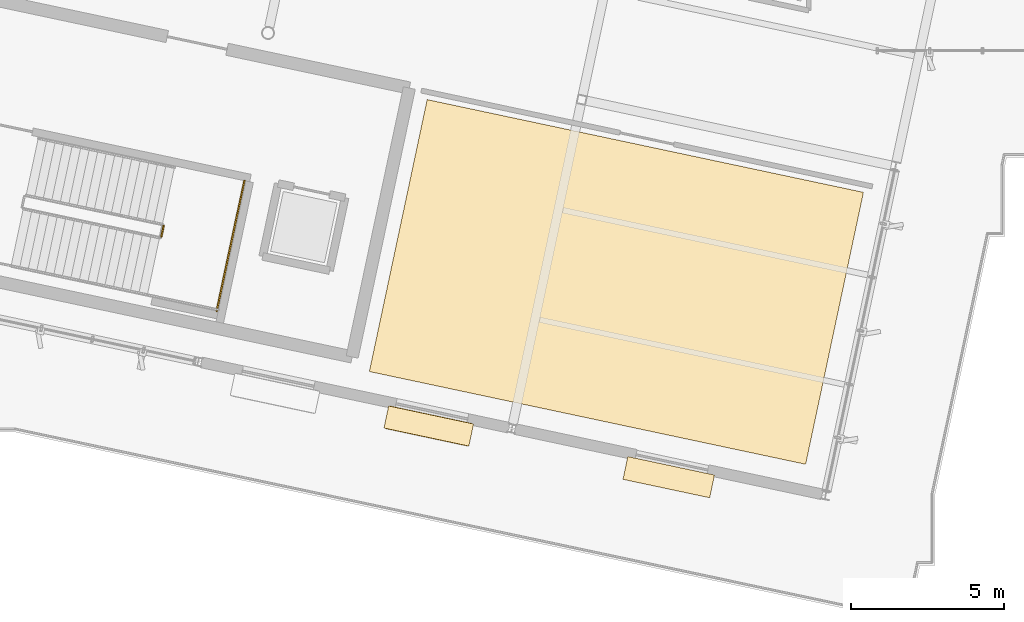
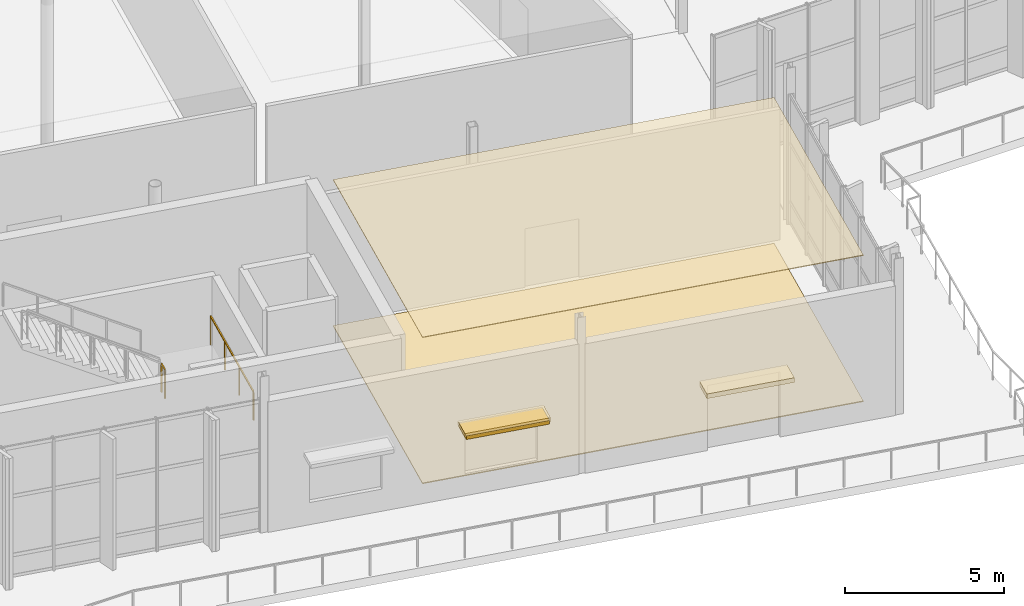
# One storey, part 143 of 163: 4 coverings, 2 railings, 1 shading device.
"""IFC4 building model written with IfcOpenShell, lengths in metres."""

import ifcopenshell
import ifcopenshell.guid

model = None  # the IFC model being written
_history = None  # IfcOwnerHistory: only IFC2X3 demands one
_inside = {}  # id of a spatial element -> (the spatial element, [elements in it])
_under = {}  # id of a project, library or spatial element -> (it, [spatial elements below it])
_declared = {}  # id of a project -> (the project, [libraries it declares])
_typed = {}  # id of a type object -> (the type object, [elements of that type])
_made_of = {}  # id of a material, layer set ... -> (it, [elements and type objects made of it])


def new_model(schema):
    """Start an empty IFC model of exactly this schema.

    Asked for "IFC4X3", IfcOpenShell would pick the latest addendum, in which some entities
    have other attributes; the version numbers below select the first issue.
    IFC2X3 requires an IfcOwnerHistory on every rooted entity: one is made here for all.
    """
    global model, _history
    if schema == "IFC4X3":
        model = ifcopenshell.file(schema_version=(4, 3, 0, 0))
    else:
        model = ifcopenshell.file(schema=schema)
    _inside.clear()
    _under.clear()
    _declared.clear()
    _typed.clear()
    _made_of.clear()
    _history = None
    if model.schema == "IFC2X3":
        org = make("IfcOrganization", Name="unknown")
        user = make(
            "IfcPersonAndOrganization",
            ThePerson=make("IfcPerson", FamilyName="unknown"),
            TheOrganization=org,
        )
        app = make(
            "IfcApplication",
            ApplicationDeveloper=org,
            Version="unknown",
            ApplicationFullName="unknown",
            ApplicationIdentifier="unknown",
        )
        _history = make(
            "IfcOwnerHistory",
            OwningUser=user,
            OwningApplication=app,
            ChangeAction="ADDED",
            CreationDate=0,
        )
    return model


def make(cls, **values):
    """One entity of the class cls with the attributes given. An attribute that is None is left unset."""
    return model.create_entity(
        cls, **{name: value for name, value in values.items() if value is not None}
    )


def rooted(cls, **values):
    """An entity with a GlobalId (a new one), such as an element, a storey or a relation."""
    return make(cls, GlobalId=ifcopenshell.guid.new(), OwnerHistory=_history, **values)


def si_unit(unit_type, name, prefix=None):
    """IfcSIUnit, for example si_unit("LENGTHUNIT", "METRE", prefix="MILLI")."""
    return make("IfcSIUnit", UnitType=unit_type, Prefix=prefix, Name=name)


def assignment(units):
    """IfcUnitAssignment: the units of a project."""
    return None if units is None else make("IfcUnitAssignment", Units=units)


def point(xyz):
    """IfcCartesianPoint."""
    return None if xyz is None else make("IfcCartesianPoint", Coordinates=xyz)


def direction(xyz):
    """IfcDirection."""
    return None if xyz is None else make("IfcDirection", DirectionRatios=xyz)


def frame(location, z_axis=None, x_axis=None):
    """IfcAxis2Placement3D, a coordinate frame: its origin and axes. An axis left out is left unset."""
    return make(
        "IfcAxis2Placement3D",
        Location=point(location),
        Axis=direction(z_axis),
        RefDirection=direction(x_axis),
    )


def frame_2d(location, x_axis=None):
    """IfcAxis2Placement2D, a coordinate frame in the plane: its origin and x axis."""
    return make(
        "IfcAxis2Placement2D", Location=point(location), RefDirection=direction(x_axis)
    )


def origin():
    """The frame at (0, 0, 0) with its axes left unset."""
    return frame((0.0, 0.0, 0.0))


def origin_2d():
    """The frame at (0, 0) in the plane with its x axis left unset."""
    return frame_2d((0.0, 0.0))


def place(relative_to, where):
    """IfcLocalPlacement: puts the frame where relative to a parent placement (None: the world)."""
    return make(
        "IfcLocalPlacement", PlacementRelTo=relative_to, RelativePlacement=where
    )


def context(
    kind, dimensions, precision=None, world=None, true_north=None, identifier=None
):
    """IfcGeometricRepresentationContext, for example the 3D "Model" context."""
    return make(
        "IfcGeometricRepresentationContext",
        ContextIdentifier=identifier,
        ContextType=kind,
        CoordinateSpaceDimension=dimensions,
        Precision=precision,
        WorldCoordinateSystem=world,
        TrueNorth=true_north,
    )


def subcontext(parent, identifier, kind, view, scale=None):
    """IfcGeometricRepresentationSubContext, for example "Body" below "Model"."""
    return make(
        "IfcGeometricRepresentationSubContext",
        ContextIdentifier=identifier,
        ContextType=kind,
        ParentContext=parent,
        TargetScale=scale,
        TargetView=view,
    )


def project(units=None, contexts=None):
    """IfcProject with its units and contexts."""
    return rooted(
        "IfcProject",
        Name="project",
        RepresentationContexts=contexts,
        UnitsInContext=assignment(units),
    )


def spatial(cls, under=None, at=None, **own):
    """A site, building, storey or space (cls), placed at a placement, below another one or the project."""
    s = rooted(cls, ObjectPlacement=at, **own)
    if under is not None:
        _under.setdefault(under.id(), (under, []))[1].append(s)
    return s


def polyline(points):
    """IfcPolyline through the points."""
    return make("IfcPolyline", Points=[point(p) for p in points])


def profile(cls, at=None, kind="AREA", **sizes):
    """A parametric profile (cls). Its sizes go by their IFC names, for example OverallWidth=200.0."""
    return make(cls, ProfileType=kind, Position=at, **sizes)


def rectangle(**sizes):
    """IfcRectangleProfileDef."""
    return profile("IfcRectangleProfileDef", **sizes)


def outline(outer, holes=None, kind="AREA"):
    """IfcArbitraryClosedProfileDef: a profile drawn as a closed curve; with holes, ...WithVoids."""
    if holes is None:
        return make("IfcArbitraryClosedProfileDef", ProfileType=kind, OuterCurve=outer)
    return make(
        "IfcArbitraryProfileDefWithVoids",
        ProfileType=kind,
        OuterCurve=outer,
        InnerCurves=holes,
    )


def extrude(swept, where, along, depth):
    """IfcExtrudedAreaSolid: the profile swept, set in the frame where, extruded along a direction by depth."""
    return make(
        "IfcExtrudedAreaSolid",
        SweptArea=swept,
        Position=where,
        ExtrudedDirection=direction(along),
        Depth=depth,
    )


def shape(context_of_items, identifier, shape_type, items):
    """IfcShapeRepresentation: the items that make up one representation, for example the "Body"."""
    return make(
        "IfcShapeRepresentation",
        ContextOfItems=context_of_items,
        RepresentationIdentifier=identifier,
        RepresentationType=shape_type,
        Items=items,
    )


def material(Name=None, Category=None):
    """IfcMaterial."""
    return make("IfcMaterial", Name=Name, Category=Category)


def layer(
    of_material, thickness, ventilated=None, Name=None, Category=None, Priority=None
):
    """IfcMaterialLayer: one layer of a wall or slab, of a material (None: an air gap)."""
    return make(
        "IfcMaterialLayer",
        Material=of_material,
        LayerThickness=thickness,
        IsVentilated=ventilated,
        Name=Name,
        Category=Category,
        Priority=Priority,
    )


def layer_set(layers, Name=None):
    """IfcMaterialLayerSet."""
    return make("IfcMaterialLayerSet", MaterialLayers=layers, LayerSetName=Name)


def made_of(thing, what):
    """Note that an element or type object is made of a material, layer set ...; save() writes the relation."""
    if what is not None:
        _made_of.setdefault(what.id(), (what, []))[1].append(thing)
    return thing


def type_object(cls, material=None, **own):
    """A type object (cls), such as IfcWallType, which elements share."""
    return made_of(rooted(cls, **own), material)


def element(
    cls,
    number,
    at=None,
    inside=None,
    cuts=None,
    type_object=None,
    material=None,
    context=None,
    identifier="Body",
    shape_type=None,
    held_by="IfcProductDefinitionShape",
    body=None,
    shapes=None,
    **own,
):
    """One element of the class cls, such as IfcWall. Its Tag is "e" and its number.

    at: its placement. inside: the storey or other place that contains it. cuts: it is an
    opening in that element (IfcRelVoidsElement). A single representation is given by context,
    identifier, shape_type and body (its items); several are given by shapes. held_by: the class
    of the entity that holds the representations. save() writes the other relations.
    """
    e = rooted(cls, Tag="e%d" % number, ObjectPlacement=at, **own)
    if body is not None:
        shapes = [shape(context, identifier, shape_type, body)]
    if shapes is not None:
        e.Representation = make(held_by, Representations=shapes)
    if inside is not None:
        _inside.setdefault(inside.id(), (inside, []))[1].append(e)
    if cuts is not None:
        rooted(
            "IfcRelVoidsElement", RelatingBuildingElement=cuts, RelatedOpeningElement=e
        )
    if type_object is not None:
        _typed.setdefault(type_object.id(), (type_object, []))[1].append(e)
    return made_of(e, material)


def aggregate(whole, parts):
    """IfcRelAggregates: a whole, such as a stair, and the parts it consists of."""
    return rooted("IfcRelAggregates", RelatingObject=whole, RelatedObjects=parts)


def save(model, path):
    """Write the relations noted so far, then the file.

    IfcRelAggregates (storeys below a building ...), IfcRelContainedInSpatialStructure (elements
    in a storey), IfcRelDefinesByType, IfcRelAssociatesMaterial and IfcRelDeclares: one each for
    every whole, place, type object, material and project.
    """
    for whole, parts in _under.values():
        aggregate(whole, parts)
    for where, things in _inside.values():
        rooted(
            "IfcRelContainedInSpatialStructure",
            RelatedElements=things,
            RelatingStructure=where,
        )
    for kind, things in _typed.values():
        rooted("IfcRelDefinesByType", RelatedObjects=things, RelatingType=kind)
    for what, things in _made_of.values():
        rooted("IfcRelAssociatesMaterial", RelatedObjects=things, RelatingMaterial=what)
    for by, libraries in _declared.values():
        rooted("IfcRelDeclares", RelatingContext=by, RelatedDefinitions=libraries)
    model.write(path)


model = new_model("IFC4")

# Units and contexts
model_context = context("Model", 3, precision=1e-05, world=origin(), true_north=direction((0.0, 1.0)))
body_context = subcontext(model_context, "Body", "Model", "MODEL_VIEW")
ifc_project = project(units=[si_unit("LENGTHUNIT", "METRE"), si_unit("AREAUNIT", "SQUARE_METRE"), si_unit("VOLUMEUNIT", "CUBIC_METRE"), si_unit("PLANEANGLEUNIT", "RADIAN"), si_unit("MASSUNIT", "GRAM", prefix="KILO")], contexts=[model_context])

# Site, building, storey
site_placement = place(None, origin())
site = spatial("IfcSite", under=ifc_project, at=site_placement, CompositionType="ELEMENT")
building_placement = place(site_placement, origin())
building = spatial("IfcBuilding", under=site, at=building_placement, Name="Khorjan Park Terminus", CompositionType="ELEMENT")
storey_placement = place(building_placement, origin())
storey = spatial("IfcBuildingStorey", under=building, at=storey_placement, Name="L00", CompositionType="ELEMENT", Elevation=0.0)

# Coverings
ifc_material_1 = material(Name="Perforated Acoustic Aluminium Baffle Ceiling", Category="aluminium")
ifc_layer_1 = layer(ifc_material_1, 0.03)
ifc_layer_set_1 = layer_set([ifc_layer_1], Name="Perforated Acoustic Aluminium Baffle Ceiling")
covering_type_1 = type_object("IfcCoveringType", Name="CV-CLG-ACS", PredefinedType="CEILING", material=ifc_layer_set_1)
covering_1_placement = place(storey_placement, frame((0.0, 0.0, 5.615)))
element("IfcCovering", 1, at=covering_1_placement, inside=storey, type_object=covering_type_1, Name="Flush acoustic baffle ceiling AC-60 (L00-PAV-FLR)", PredefinedType="CEILING", context=body_context, shape_type="SweptSolid", body=[
    extrude(outline(polyline([(24.1569, 36.4589), (9.876, 39.4945), (11.768, 48.3956), (26.049, 45.36), (24.1569, 36.4589)])), origin(), (0.0, 0.0, 1.0), 0.03),
])
ifc_material_2 = material(Name="Polished Desert Limestone Terrazzo", Category="masonry")
ifc_layer_2 = layer(ifc_material_2, 0.035)
ifc_layer_set_2 = layer_set([ifc_layer_2], Name="Polished Desert Limestone Terrazzo")
covering_type_2 = type_object("IfcCoveringType", Name="CV-FLR-TRZ", PredefinedType="FLOORING", material=ifc_layer_set_2)
covering_2_placement = place(storey_placement, origin())
element("IfcCovering", 2, at=covering_2_placement, inside=storey, type_object=covering_type_2, Name="Architectural floor finish FF-TRZ (L00-PAV-FLR)", PredefinedType="FLOORING", context=body_context, shape_type="SweptSolid", body=[
    extrude(outline(polyline([(24.1569, 36.4589), (9.876, 39.4945), (11.768, 48.3956), (26.049, 45.36), (24.1569, 36.4589)])), origin(), (0.0, 0.0, 1.0), 0.035),
])
ifc_material_3 = material(Name="Pigmented Precast GRC", Category="concrete")
ifc_layer_3 = layer(ifc_material_3, 0.18)
ifc_layer_set_3 = layer_set([ifc_layer_3], Name="Pigmented Precast GRC")
covering_type_3 = type_object("IfcCoveringType", Name="CV-HOOD-GRC", PredefinedType="CLADDING", material=ifc_layer_set_3)
covering_3_placement = place(storey_placement, frame((11.8203, 37.7113, 2.73), z_axis=(0.0, 0.0, 1.0), x_axis=(0.978149513341, -0.207902692503, 0.0)))
element("IfcCovering", 3, at=covering_3_placement, inside=storey, type_object=covering_type_3, Name="Projecting desert-sandstone GRC window eyebrow CL-HD1 (EW-V4-S-L00-B02-2)", PredefinedType="CLADDING", context=body_context, shape_type="SweptSolid", body=[
    extrude(rectangle(XDim=2.84, YDim=0.74, at=origin_2d()), origin(), (0.0, 0.0, 1.0), 0.16),
])
covering_4_placement = place(storey_placement, frame((19.676, 36.0363, 2.51), z_axis=(0.0, 0.0, 1.0), x_axis=(0.978146142238, -0.207918552383, 0.0)))
element("IfcCovering", 4, at=covering_4_placement, inside=storey, type_object=covering_type_3, Name="Projecting pigmented-GRC entrance canopy hood CL-HD1 (EW-V4-S-L00-B03)", PredefinedType="CLADDING", context=body_context, shape_type="SweptSolid", body=[
    extrude(rectangle(XDim=2.9, YDim=0.76, at=origin_2d()), origin(), (0.0, 0.0, 1.0), 0.18),
])

# Railings
ifc_material_4 = material(Name="Steel S355", Category="steel")
railing_type = type_object("IfcRailingType", Name="GR-112", PredefinedType="GUARDRAIL", material=ifc_material_4)
railing_1_placement = place(storey_placement, frame((3.0646, 43.907, 3.0)))
element("IfcRailing", 5, at=railing_1_placement, inside=storey, type_object=railing_type, Name="L00 ST-08 stair guard 2", PredefinedType="GUARDRAIL", context=body_context, shape_type="SweptSolid", body=[
    extrude(rectangle(XDim=0.048, YDim=0.048, at=origin_2d()), frame((0.0, 0.0, 1.096), z_axis=(0.207745816875, 0.978182843629, 0.0), x_axis=(-0.978182843629, 0.207745816875, 0.0)), (0.0, 0.0, 1.0), 0.3601),
    extrude(rectangle(XDim=0.042, YDim=0.042, at=origin_2d()), origin(), (0.0, 0.0, 1.0), 1.072),
    extrude(rectangle(XDim=0.042, YDim=0.042, at=origin_2d()), frame((0.0748, 0.3522, 0.0)), (0.0, 0.0, 1.0), 1.072),
])
railing_2_placement = place(storey_placement, frame((4.8789, 41.4767, 3.0)))
element("IfcRailing", 6, at=railing_2_placement, inside=storey, type_object=railing_type, Name="L00 ST-08 stair guard 4", PredefinedType="GUARDRAIL", context=body_context, shape_type="SweptSolid", body=[
    extrude(rectangle(XDim=0.048, YDim=0.048, at=origin_2d()), frame((0.0, 0.0, 1.096), z_axis=(0.207913892162, 0.978147132821, 0.0), x_axis=(-0.978147132821, 0.207913892162, 0.0)), (0.0, 0.0, 1.0), 4.36),
    extrude(rectangle(XDim=0.042, YDim=0.042, at=origin_2d()), origin(), (0.0, 0.0, 1.0), 1.072),
    extrude(rectangle(XDim=0.042, YDim=0.042, at=origin_2d()), frame((0.3022, 1.4216, 0.0)), (0.0, 0.0, 1.0), 1.072),
    extrude(rectangle(XDim=0.042, YDim=0.042, at=origin_2d()), frame((0.6043, 2.8431, 0.0)), (0.0, 0.0, 1.0), 1.072),
    extrude(rectangle(XDim=0.042, YDim=0.042, at=origin_2d()), frame((0.9065, 4.2647, 0.0)), (0.0, 0.0, 1.0), 1.072),
])

# Shading device
ifc_material_5 = material(Name="Anodized Bronze Aluminium", Category="aluminium")
shading_device_type = type_object("IfcShadingDeviceType", Name="SD-SUN-750", PredefinedType="SHUTTER", material=ifc_material_5)
shading_device_placement = place(storey_placement, frame((11.8203, 37.7113, 2.66), z_axis=(0.0, 0.0, 1.0), x_axis=(0.978149513341, -0.207902692503, 0.0)))
element("IfcShadingDevice", 7, at=shading_device_placement, inside=storey, type_object=shading_device_type, Name="Projecting solar overhang hood SH-75 (EW-V4-S-L00-B02-2)", PredefinedType="SHUTTER", context=body_context, shape_type="SweptSolid", body=[
    extrude(rectangle(XDim=2.76, YDim=0.76, at=origin_2d()), origin(), (0.0, 0.0, 1.0), 0.14),
])

save(model, "model.ifc")
